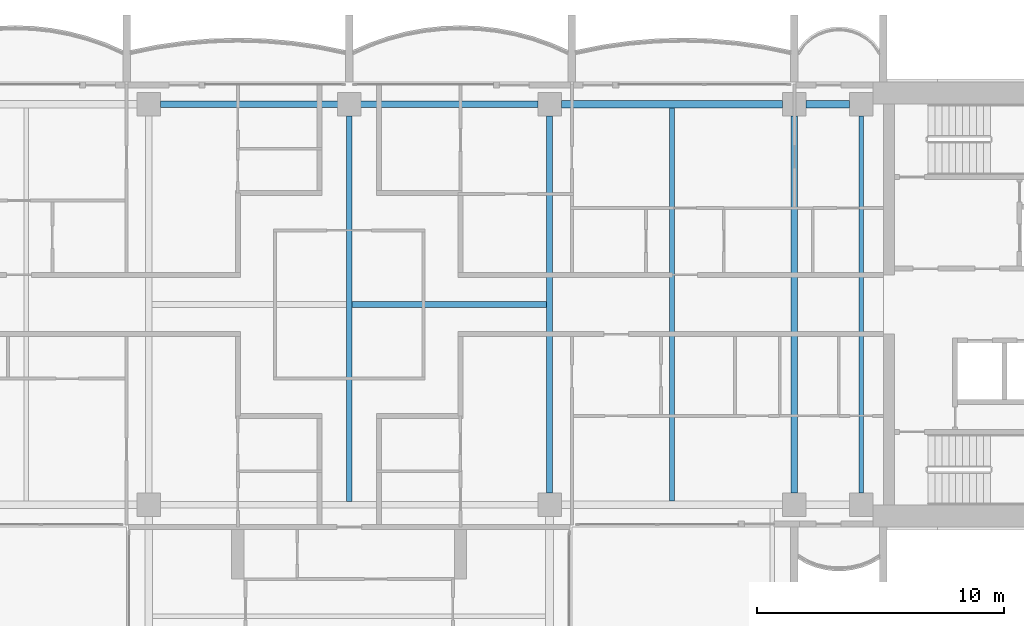
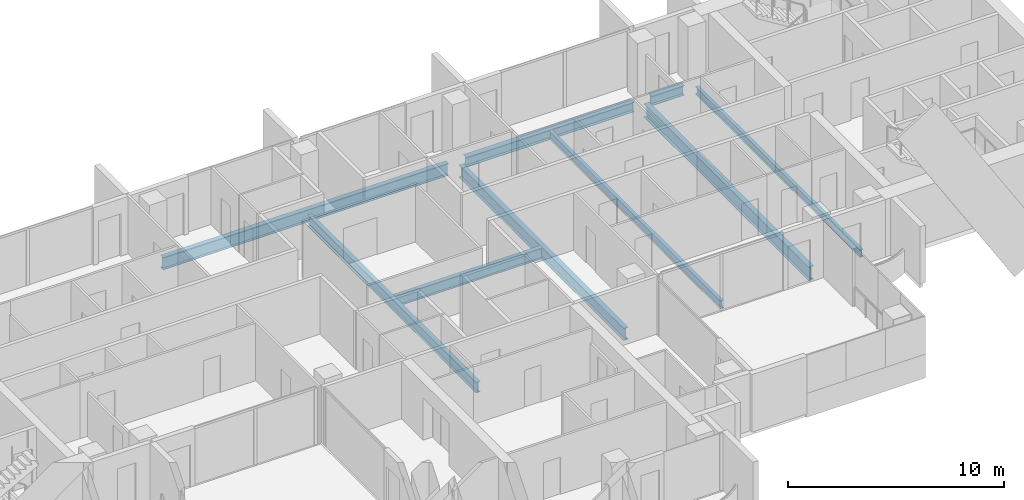
# One storey, part 4 of 18: 9 beams.
"""IFC4 building model written with IfcOpenShell, lengths in metres."""

from ifc_helpers import new_model, si_unit, direction, frame, origin, origin_2d, place, context, subcontext, project, spatial, i_section, extrude, material, material_profile, profile_set, type_object, element, save


model = new_model("IFC4")

# Units and contexts
model_context = context("Model", 3, precision=1e-05, world=origin(), true_north=direction((0.0, 1.0)))
body_context = subcontext(model_context, "Body", "Model", "MODEL_VIEW")
ifc_project = project(units=[si_unit("LENGTHUNIT", "METRE"), si_unit("AREAUNIT", "SQUARE_METRE"), si_unit("VOLUMEUNIT", "CUBIC_METRE"), si_unit("PLANEANGLEUNIT", "RADIAN"), si_unit("MASSUNIT", "GRAM", prefix="KILO")], contexts=[model_context])

# Site, building, storey
site_placement = place(None, origin())
site = spatial("IfcSite", under=ifc_project, at=site_placement, CompositionType="ELEMENT")
building_placement = place(site_placement, origin())
building = spatial("IfcBuilding", under=site, at=building_placement, Name="Perihelion Cross Residences", CompositionType="ELEMENT")
storey_placement = place(building_placement, frame((0.0, 0.0, 177.10009765625)))
storey = spatial("IfcBuildingStorey", under=building, at=storey_placement, Name="L43", CompositionType="ELEMENT", Elevation=177.10009765625)

# Beams
ifc_material_1 = material(Name="Steel S355", Category="steel")
ifc_material_profile_1 = material_profile(ifc_material_1, i_section(OverallWidth=0.180908203125, OverallDepth=0.4169921875, WebThickness=0.010986328125, FlangeThickness=0.018310546875, at=origin_2d()), Name="W410x85")
ifc_profile_set_1 = profile_set([ifc_material_profile_1], Name="Steel S355")
beam_type_1 = type_object("IfcBeamType", Name="Core edge beam W410x85", PredefinedType="BEAM", material=ifc_profile_set_1)
beam_1_placement = place(storey_placement, frame((20.699951171875, -7.625, -0.45849609375), z_axis=(0.0, 1.0, 0.0), x_axis=(-1.0, 0.0, 0.0)))
element("IfcBeam", 1, at=beam_1_placement, inside=storey, type_object=beam_type_1, Name="Core edge beam TB6 L43 no. 2", PredefinedType="BEAM", context=body_context, shape_type="SweptSolid", body=[
    extrude(i_section(OverallWidth=0.180908203125, OverallDepth=0.4169921875, WebThickness=0.010986328125, FlangeThickness=0.018310546875, at=origin_2d()), origin(), (0.0, 0.0, 1.0), 15.25),
])
ifc_material_2 = material(Name="Steel S355", Category="steel")
ifc_material_profile_2 = material_profile(ifc_material_2, i_section(OverallWidth=0.31201171875, OverallDepth=0.5439453125, WebThickness=0.0126953125, FlangeThickness=0.020263671875, at=origin_2d()), Name="W530x150")
ifc_profile_set_2 = profile_set([ifc_material_profile_2], Name="Steel S355")
beam_type_2 = type_object("IfcBeamType", Name="Edge beam W530x150", PredefinedType="SPANDREL", material=ifc_profile_set_2)
beam_2_placement = place(storey_placement, frame((20.22509765625, 8.10009765625, -0.522216796875), z_axis=(-1.0, 0.0, 0.0), x_axis=(0.0, -1.0, 0.0)))
element("IfcBeam", 2, at=beam_2_placement, inside=storey, type_object=beam_type_2, Name="Edge beam SB4 L43 no. 10", PredefinedType="SPANDREL", context=body_context, shape_type="SweptSolid", body=[
    extrude(i_section(OverallWidth=0.31201171875, OverallDepth=0.5439453125, WebThickness=0.0126953125, FlangeThickness=0.020263671875, at=origin_2d()), origin(), (0.0, 0.0, 1.0), 1.75),
])
beam_3_placement = place(storey_placement, frame((17.52490234375, 8.10009765625, -0.522216796875), z_axis=(-1.0, 0.0, 0.0), x_axis=(0.0, -1.0, 0.0)))
element("IfcBeam", 3, at=beam_3_placement, inside=storey, type_object=beam_type_2, Name="Edge beam SB4 L43 no. 9", PredefinedType="SPANDREL", context=body_context, shape_type="SweptSolid", body=[
    extrude(i_section(OverallWidth=0.31201171875, OverallDepth=0.5439453125, WebThickness=0.0126953125, FlangeThickness=0.020263671875, at=origin_2d()), origin(), (0.0, 0.0, 1.0), 8.949951171875),
])
ifc_material_3 = material(Name="Steel S355", Category="steel")
ifc_material_profile_3 = material_profile(ifc_material_3, i_section(OverallWidth=0.26708984375, OverallDepth=0.77001953125, WebThickness=0.015625, FlangeThickness=0.025390625, at=origin_2d()), Name="W760x196")
ifc_profile_set_3 = profile_set([ifc_material_profile_3], Name="Steel S355")
beam_type_3 = type_object("IfcBeamType", Name="Floor girder W760x196", PredefinedType="BEAM", material=ifc_profile_set_3)
beam_4_placement = place(storey_placement, frame((18.0, -7.625, -0.635009765625), z_axis=(0.0, 1.0, 0.0), x_axis=(-1.0, 0.0, 0.0)))
element("IfcBeam", 4, at=beam_4_placement, inside=storey, type_object=beam_type_3, Name="Girder G4 L43 no. 2", PredefinedType="BEAM", context=body_context, shape_type="SweptSolid", body=[
    extrude(i_section(OverallWidth=0.26708984375, OverallDepth=0.77001953125, WebThickness=0.015625, FlangeThickness=0.025390625, at=origin_2d()), origin(), (0.0, 0.0, 1.0), 15.25),
])
ifc_material_4 = material(Name="Steel S355", Category="steel")
ifc_material_profile_4 = material_profile(ifc_material_4, i_section(OverallWidth=0.19091796875, OverallDepth=0.45703125, WebThickness=0.009033203125, FlangeThickness=0.014404296875, at=origin_2d()), Name="W460x74")
ifc_profile_set_4 = profile_set([ifc_material_profile_4], Name="Steel S355")
beam_type_4 = type_object("IfcBeamType", Name="Floor joist W460x74", PredefinedType="JOIST", material=ifc_profile_set_4)
beam_5_placement = place(storey_placement, frame((13.050048828125, -7.944091796875, -0.478515625), z_axis=(0.0, 1.0, 0.0), x_axis=(-1.0, 0.0, 0.0)))
element("IfcBeam", 5, at=beam_5_placement, inside=storey, type_object=beam_type_4, Name="Joist J5 L43 no. 2", PredefinedType="JOIST", context=body_context, shape_type="SweptSolid", body=[
    extrude(i_section(OverallWidth=0.19091796875, OverallDepth=0.45703125, WebThickness=0.009033203125, FlangeThickness=0.014404296875, at=origin_2d()), origin(), (0.0, 0.0, 1.0), 15.88818359375),
])
ifc_material_5 = material(Name="Steel S355", Category="steel")
ifc_material_profile_5 = material_profile(ifc_material_5, i_section(OverallWidth=0.22900390625, OverallDepth=0.612060546875, WebThickness=0.011962890625, FlangeThickness=0.01953125, at=origin_2d()), Name="W610x125")
ifc_profile_set_5 = profile_set([ifc_material_profile_5], Name="Steel S355")
beam_type_5 = type_object("IfcBeamType", Name="Hub cross beam W610x125", PredefinedType="BEAM", material=ifc_profile_set_5)
beam_6_placement = place(storey_placement, frame((0.0, -7.971435546875, -0.55615234375), z_axis=(0.0, 1.0, 0.0), x_axis=(-1.0, 0.0, 0.0)))
element("IfcBeam", 6, at=beam_6_placement, inside=storey, type_object=beam_type_5, Name="Hub cross beam XB4 L43 no. 1", PredefinedType="BEAM", context=body_context, shape_type="SweptSolid", body=[
    extrude(i_section(OverallWidth=0.22900390625, OverallDepth=0.612060546875, WebThickness=0.011962890625, FlangeThickness=0.01953125, at=origin_2d()), origin(), (0.0, 0.0, 1.0), 15.596435546875),
])
beam_7_placement = place(storey_placement, frame((0.114501953125, 0.0, -0.55615234375), z_axis=(1.0, 0.0, 0.0), x_axis=(0.0, 1.0, 0.0)))
element("IfcBeam", 7, at=beam_7_placement, inside=storey, type_object=beam_type_5, Name="Hub cross beam XB4 L43 2 no. 1", PredefinedType="BEAM", context=body_context, shape_type="SweptSolid", body=[
    extrude(i_section(OverallWidth=0.22900390625, OverallDepth=0.612060546875, WebThickness=0.011962890625, FlangeThickness=0.01953125, at=origin_2d()), origin(), (0.0, 0.0, 1.0), 7.85693359375),
])
ifc_material_6 = material(Name="Steel S355", Category="steel")
ifc_material_profile_6 = material_profile(ifc_material_6, i_section(OverallWidth=0.257080078125, OverallDepth=0.693115234375, WebThickness=0.014404296875, FlangeThickness=0.023681640625, at=origin_2d()), Name="W690x170")
ifc_profile_set_6 = profile_set([ifc_material_profile_6], Name="Steel S355")
beam_type_6 = type_object("IfcBeamType", Name="Hub ring girder W690x170", PredefinedType="BEAM", material=ifc_profile_set_6)
for number, where, z_axis, x_axis, name in (
    (8, (8.10009765625, -7.625, -0.5966796875), (0.0, 1.0, 0.0), (-1.0, 0.0, 0.0), "Hub ring girder RG4 L43 no. 3"),
    (9, (7.625, 8.10009765625, -0.5966796875), (-1.0, 0.0, 0.0), (0.0, -1.0, 0.0), "Hub ring girder RG4 L43 no. 4"),
):
    element("IfcBeam", number, at=place(storey_placement, frame(where, z_axis=z_axis, x_axis=x_axis)), inside=storey, type_object=beam_type_6, Name=name, PredefinedType="BEAM", context=body_context, shape_type="SweptSolid", body=[
        extrude(i_section(OverallWidth=0.257080078125, OverallDepth=0.693115234375, WebThickness=0.014404296875, FlangeThickness=0.023681640625, at=origin_2d()), origin(), (0.0, 0.0, 1.0), 15.25),
    ])

save(model, "model.ifc")
